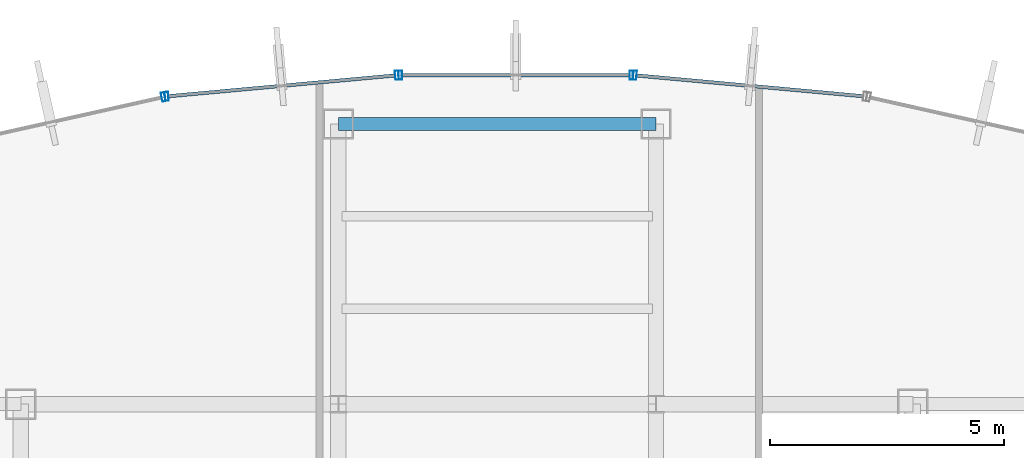
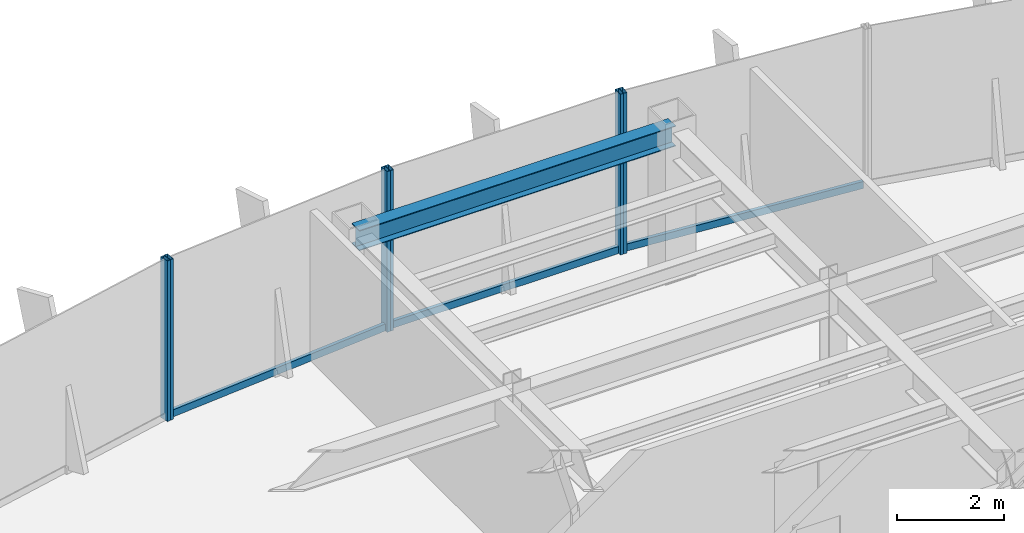
# One storey, part 16 of 25: 9 members, 1 beam, 4 elements without a shape of their own.
"""IFC4 building model written with IfcOpenShell, lengths in metres."""

from ifc_helpers import new_model, si_unit, derived_unit, direction, frame, origin, origin_2d, place, context, subcontext, project, spatial, hollow_rectangle, i_section, extrude, source, transform, mapped, material, material_profile, profile_set, type_object, element, aggregate, save


model = new_model("IFC4")

# Units and contexts
model_context = context("Model", 3, precision=1e-05, world=origin(), true_north=direction((0.0, 1.0)))
body_context = subcontext(model_context, "Body", "Model", "MODEL_VIEW")
ifc_project = project(units=[si_unit("LENGTHUNIT", "METRE"), si_unit("AREAUNIT", "SQUARE_METRE"), si_unit("VOLUMEUNIT", "CUBIC_METRE"), si_unit("PLANEANGLEUNIT", "RADIAN"), si_unit("MASSUNIT", "GRAM", prefix="KILO"), derived_unit("THERMALTRANSMITTANCEUNIT", [(si_unit("POWERUNIT", "WATT"), 1), (si_unit("LENGTHUNIT", "METRE"), -2), (si_unit("THERMODYNAMICTEMPERATUREUNIT", "KELVIN"), -1)])], contexts=[model_context])

# Site, building, storey
site_placement = place(None, origin())
site = spatial("IfcSite", under=ifc_project, at=site_placement, CompositionType="ELEMENT")
building_placement = place(site_placement, origin())
building = spatial("IfcBuilding", under=site, at=building_placement, Name="Skarnbrae Concourse Arena and Tower", CompositionType="ELEMENT")
storey_placement = place(building_placement, frame((0.0, 0.0, 144.25)))
storey = spatial("IfcBuildingStorey", under=building, at=storey_placement, Name="L36", CompositionType="ELEMENT", Elevation=144.25)

# Beam
ifc_material_1 = material(Name="Steel CSA G40.21 350W", Category="steel")
ifc_material_profile_1 = material_profile(ifc_material_1, i_section(OverallWidth=0.280029296875, OverallDepth=0.462890625, WebThickness=0.0107421875, FlangeThickness=0.017333984375, at=origin_2d()), Name="W460X113")
ifc_profile_set_1 = profile_set([ifc_material_profile_1], Name="Steel CSA G40.21 350W")
beam_type = type_object("IfcBeamType", Name="BM-SPAN-W460X113", PredefinedType="SPANDREL", material=ifc_profile_set_1)
shared_shape_1 = source(origin(), body_context, "Body", "SweptSolid", [
    extrude(i_section(OverallWidth=0.280029296875, OverallDepth=0.462890625, WebThickness=0.0107421875, FlangeThickness=0.017333984375, at=origin_2d()), origin(), (0.0, 0.0, 1.0), 6.800048828125),
])
beam_placement = place(storey_placement, frame((21.199951171875, 40.39990234375, 3.16845703125), z_axis=(1.0, 0.0, 0.0), x_axis=(0.0, 1.0, 0.0)))
element("IfcBeam", 1, at=beam_placement, inside=storey, type_object=beam_type, Name="L36 Perimeter spandrel Y40.4-1", PredefinedType="SPANDREL", context=body_context, shape_type="MappedRepresentation", body=[
    mapped(shared_shape_1, transform((0.0, 0.0, 0.0))),
])

# Curtain wall, member
ifc_material_2 = material(Name="Bronze anodised aluminium 6063-T6", Category="aluminium")
curtain_wall_type = type_object("IfcCurtainWallType", Name="CW-SYS-04-MIDZONE", PredefinedType="USERDEFINED", material=ifc_material_2)
curtain_wall_1_placement = place(storey_placement, origin())
curtain_wall_1 = element("IfcCurtainWall", 2, at=curtain_wall_1_placement, inside=storey, type_object=curtain_wall_type, Name="L36 Unitised curtain wall CW-L36-E10", ObjectType="UNITISED CURTAIN WALL", PredefinedType="USERDEFINED")
ifc_material_profile_2 = material_profile(ifc_material_2, hollow_rectangle(XDim=0.074951171875, YDim=0.195068359375, WallThickness=0.00439453125, at=origin_2d()), Name="ALU-MULL-75X195")
ifc_profile_set_2 = profile_set([ifc_material_profile_2], Name="Bronze anodised aluminium 6063-T6")
member_type_1 = type_object("IfcMemberType", Name="CWM-CW-04", PredefinedType="MULLION", material=ifc_profile_set_2)
shared_shape_2 = source(origin(), body_context, "Body", "SweptSolid", [
    extrude(hollow_rectangle(XDim=0.074951171875, YDim=0.195068359375, WallThickness=0.00439453125, at=origin_2d()), origin(), (0.0, 0.0, 1.0), 3.64990234375),
])
member_1_placement = place(storey_placement, frame((27.548583984375, 41.442138671875, 0.0), z_axis=(0.0, 0.0, 1.0), x_axis=(-0.995819926016, 0.091338244731, 0.0)))
member_1 = element("IfcMember", 3, at=member_1_placement, type_object=member_type_1, Name="CW-L36-E10 Mullion 2", PredefinedType="MULLION", context=body_context, shape_type="MappedRepresentation", body=[
    mapped(shared_shape_2, transform((0.0, 0.0, 0.0))),
])

# Curtain wall, members
curtain_wall_2_placement = place(storey_placement, origin())
curtain_wall_2 = element("IfcCurtainWall", 4, at=curtain_wall_2_placement, inside=storey, type_object=curtain_wall_type, Name="L36 Unitised curtain wall CW-L36-E11", ObjectType="UNITISED CURTAIN WALL", PredefinedType="USERDEFINED")
member_2_placement = place(storey_placement, frame((27.473876953125, 41.445556640625, 0.0), z_axis=(0.0, 0.0, 1.0), x_axis=(-1.0, 0.0, 0.0)))
member_2 = element("IfcMember", 5, at=member_2_placement, type_object=member_type_1, Name="CW-L36-E11 Mullion 1", PredefinedType="MULLION", context=body_context, shape_type="MappedRepresentation", body=[
    mapped(shared_shape_2, transform((0.0, 0.0, 0.0))),
])
member_3_placement = place(storey_placement, frame((22.526123046875, 41.445556640625, 0.0), z_axis=(0.0, 0.0, 1.0), x_axis=(-1.0, 0.0, 0.0)))
member_3 = element("IfcMember", 6, at=member_3_placement, type_object=member_type_1, Name="CW-L36-E11 Mullion 2", PredefinedType="MULLION", context=body_context, shape_type="MappedRepresentation", body=[
    mapped(shared_shape_2, transform((0.0, 0.0, 0.0))),
])

curtain_wall_3_placement = place(storey_placement, origin())
curtain_wall_3 = element("IfcCurtainWall", 7, at=curtain_wall_3_placement, inside=storey, type_object=curtain_wall_type, Name="L36 Unitised curtain wall CW-L36-E12", ObjectType="UNITISED CURTAIN WALL", PredefinedType="USERDEFINED")
member_4_placement = place(storey_placement, frame((22.451416015625, 41.442138671875, 0.0), z_axis=(0.0, 0.0, 1.0), x_axis=(-0.995819926016, -0.091338244731, 0.0)))
member_4 = element("IfcMember", 8, at=member_4_placement, type_object=member_type_1, Name="CW-L36-E12 Mullion 1", PredefinedType="MULLION", context=body_context, shape_type="MappedRepresentation", body=[
    mapped(shared_shape_2, transform((0.0, 0.0, 0.0))),
])
member_5_placement = place(storey_placement, frame((17.52490234375, 40.990234375, 0.0), z_axis=(0.0, 0.0, 1.0), x_axis=(-0.995819926016, -0.091338244731, 0.0)))
member_5 = element("IfcMember", 9, at=member_5_placement, type_object=member_type_1, Name="CW-L36-E12 Mullion 2", PredefinedType="MULLION", context=body_context, shape_type="MappedRepresentation", body=[
    mapped(shared_shape_2, transform((0.0, 0.0, 0.0))),
])

# Curtain wall, member
curtain_wall_4_placement = place(storey_placement, origin())
curtain_wall_4 = element("IfcCurtainWall", 10, at=curtain_wall_4_placement, inside=storey, type_object=curtain_wall_type, Name="L36 Unitised curtain wall CW-L36-E13", ObjectType="UNITISED CURTAIN WALL", PredefinedType="USERDEFINED")
member_6_placement = place(storey_placement, frame((17.451171875, 40.978759765625, 0.0), z_axis=(0.0, 0.0, 1.0), x_axis=(-0.975936175393, -0.218056372433, 0.0)))
member_6 = element("IfcMember", 11, at=member_6_placement, type_object=member_type_1, Name="CW-L36-E13 Mullion 1", PredefinedType="MULLION", context=body_context, shape_type="MappedRepresentation", body=[
    mapped(shared_shape_2, transform((0.0, 0.0, 0.0))),
])
aggregate(curtain_wall_4, [member_6])

# Member
ifc_material_profile_3 = material_profile(ifc_material_2, hollow_rectangle(XDim=0.074951171875, YDim=0.159912109375, WallThickness=0.00439453125, at=origin_2d()), Name="ALU-TRAN-75X160")
ifc_profile_set_3 = profile_set([ifc_material_profile_3], Name="Bronze anodised aluminium 6063-T6")
member_type_2 = type_object("IfcMemberType", Name="CWT-CW-04", PredefinedType="USERDEFINED", material=ifc_profile_set_3)
shared_shape_3 = source(origin(), body_context, "Body", "SweptSolid", [
    extrude(hollow_rectangle(XDim=0.074951171875, YDim=0.159912109375, WallThickness=0.00439453125, at=origin_2d()), origin(), (0.0, 0.0, 1.0), 4.871826171875),
])
member_7_placement = place(storey_placement, frame((32.4375, 40.993896484375, 0.080078125), z_axis=(-0.99582308224, 0.091303827287, 0.0), x_axis=(-0.091303827287, -0.99582308224, 0.0)))
member_7 = element("IfcMember", 12, at=member_7_placement, type_object=member_type_2, Name="CW-L36-E10 Transom 1", ObjectType="TRANSOM", PredefinedType="USERDEFINED", context=body_context, shape_type="MappedRepresentation", body=[
    mapped(shared_shape_3, transform((0.0, 0.0, 0.0))),
])

aggregate(curtain_wall_1, [member_1, member_7])

member_8_placement = place(storey_placement, frame((22.4140625, 41.438720703125, 0.080078125), z_axis=(-0.99582308224, -0.091303827287, 0.0), x_axis=(0.091303827287, -0.99582308224, 0.0)))
member_8 = element("IfcMember", 13, at=member_8_placement, type_object=member_type_2, Name="CW-L36-E12 Transom 1", ObjectType="TRANSOM", PredefinedType="USERDEFINED", context=body_context, shape_type="MappedRepresentation", body=[
    mapped(shared_shape_3, transform((0.0, 0.0, 0.0))),
])

aggregate(curtain_wall_3, [member_4, member_5, member_8])

shared_shape_4 = source(origin(), body_context, "Body", "SweptSolid", [
    extrude(hollow_rectangle(XDim=0.074951171875, YDim=0.159912109375, WallThickness=0.00439453125, at=origin_2d()), origin(), (0.0, 0.0, 1.0), 4.87255859375),
])
member_9_placement = place(storey_placement, frame((27.436279296875, 41.445556640625, 0.080078125), z_axis=(-1.0, 0.0, 0.0), x_axis=(0.0, -1.0, 0.0)))
member_9 = element("IfcMember", 14, at=member_9_placement, type_object=member_type_2, Name="CW-L36-E11 Transom 1", ObjectType="TRANSOM", PredefinedType="USERDEFINED", context=body_context, shape_type="MappedRepresentation", body=[
    mapped(shared_shape_4, transform((0.0, 0.0, 0.0))),
])

aggregate(curtain_wall_2, [member_2, member_3, member_9])

save(model, "model.ifc")
